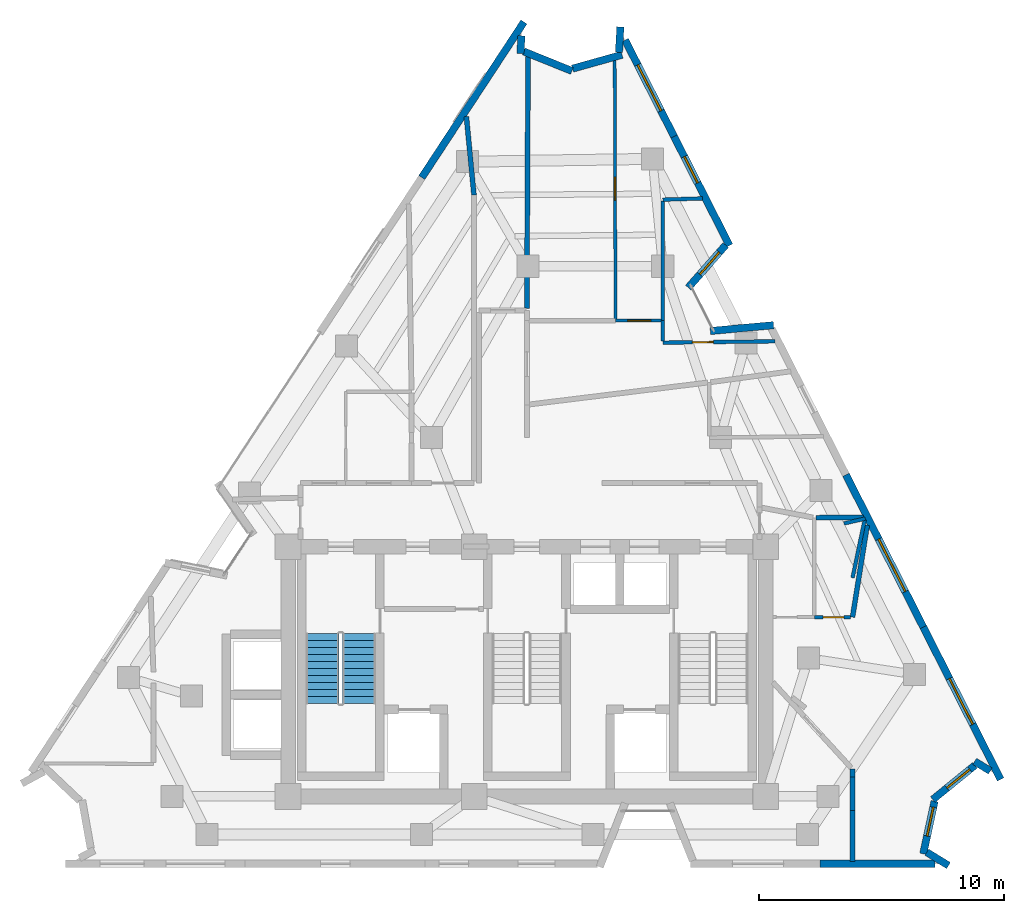
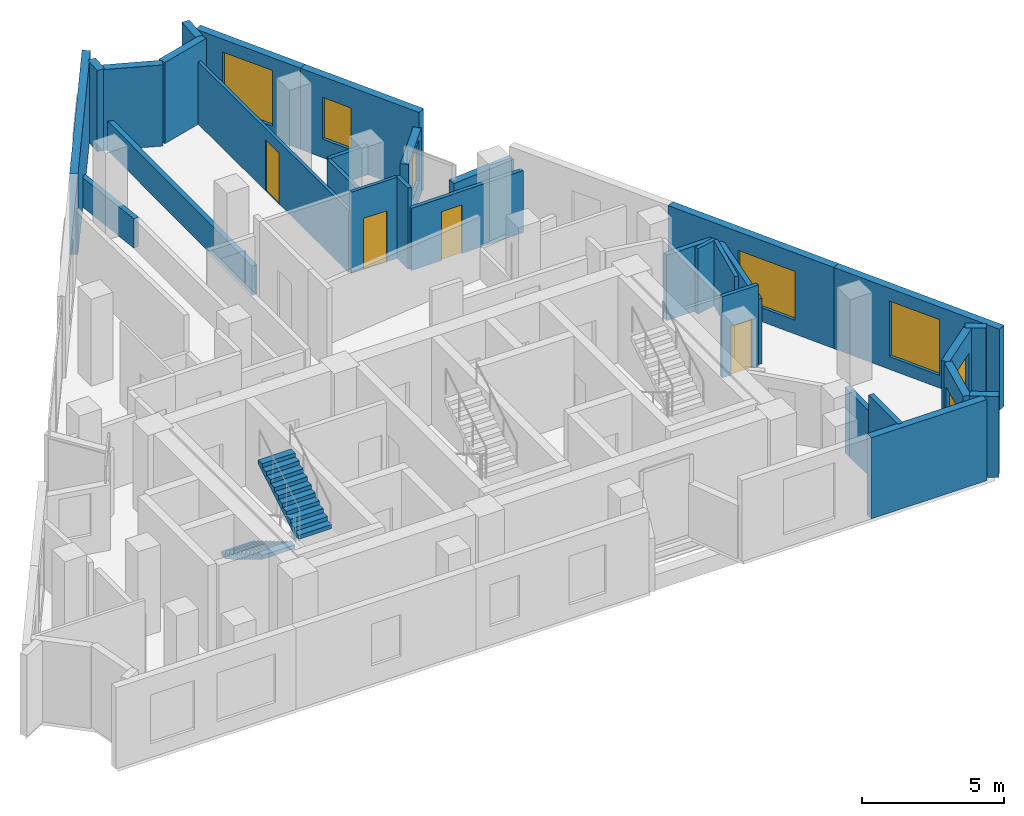
# One storey, part 7 of 9: 32 walls, 7 windows, 4 doors, 2 stair flights, 11 openings, 1 element without a shape of its own.
"""IFC4 building model written with IfcOpenShell, lengths in metres."""

from ifc_helpers import new_model, si_unit, direction, frame, frame_2d, origin, place, context, subcontext, project, spatial, polyline, rectangle, outline, extrude, material, layer, layer_set, type_object, element, fill, aggregate, save


model = new_model("IFC4")

# Units and contexts
model_context = context("Model", 3, precision=1e-05, world=origin(), true_north=direction((0.0, 1.0)))
body_context = subcontext(model_context, "Body", "Model", "MODEL_VIEW")
ifc_project = project(units=[si_unit("LENGTHUNIT", "METRE"), si_unit("AREAUNIT", "SQUARE_METRE"), si_unit("VOLUMEUNIT", "CUBIC_METRE"), si_unit("PLANEANGLEUNIT", "RADIAN"), si_unit("MASSUNIT", "GRAM", prefix="KILO")], contexts=[model_context])

# Site, building, storey
site_placement = place(None, origin())
site = spatial("IfcSite", under=ifc_project, at=site_placement, CompositionType="ELEMENT")
building_placement = place(site_placement, origin())
building = spatial("IfcBuilding", under=site, at=building_placement, Name="Almagre Mirador Tower", CompositionType="ELEMENT")
storey_placement = place(building_placement, frame((0.0, 0.0, 248.25)))
storey = spatial("IfcBuildingStorey", under=building, at=storey_placement, Name="L64", CompositionType="ELEMENT", Elevation=248.25)

# Walls
ifc_material_1 = material(Name="Precast concrete C50/60", Category="concrete")
ifc_layer_1 = layer(ifc_material_1, 0.300048828125)
ifc_layer_set_1 = layer_set([ifc_layer_1], Name="Precast concrete C50/60")
wall_type_1 = type_object("IfcWallType", Name="WAL-EXT-300", PredefinedType="SOLIDWALL", material=ifc_layer_set_1)
wall_1_placement = place(storey_placement, frame((33.009521484375, 29.82421875, 0.0), z_axis=(0.0, 0.0, 1.0), x_axis=(0.549051558848, 0.835788481451, 0.0)))
element("IfcWall", 1, at=wall_1_placement, inside=storey, type_object=wall_type_1, Name="L64 expressed almagre precast frame wall 04", PredefinedType="SOLIDWALL", context=body_context, shape_type="SweptSolid", body=[
    extrude(rectangle(XDim=7.597412109375, YDim=0.300048828125, at=frame_2d((3.798828125, 0.0))), origin(), (0.0, 0.0, 1.0), 3.5),
])
wall_2_placement = place(storey_placement, frame((37.0791015625, 35.61279296875, 0.0), z_axis=(0.0, 0.0, 1.0), x_axis=(-0.056136239568, -0.998423118025, 0.0)))
element("IfcWall", 2, at=wall_2_placement, inside=storey, type_object=wall_type_1, Name="L64 expressed almagre precast frame wall 05", PredefinedType="SOLIDWALL", context=body_context, shape_type="SweptSolid", body=[
    extrude(rectangle(XDim=0.730712890625, YDim=0.300048828125, at=frame_2d((0.365234375, 0.0))), origin(), (0.0, 0.0, 1.0), 3.5),
])
wall_3_placement = place(storey_placement, frame((37.171142578125, 34.972412109375, 0.0), z_axis=(0.0, 0.0, 1.0), x_axis=(0.927076098221, -0.37487318937, 0.0)))
element("IfcWall", 3, at=wall_3_placement, inside=storey, type_object=wall_type_1, Name="L64 expressed almagre precast frame wall 06", PredefinedType="SOLIDWALL", context=body_context, shape_type="SweptSolid", body=[
    extrude(rectangle(XDim=2.125732421875, YDim=0.300048828125, at=frame_2d((1.06298828125, 0.0))), origin(), (0.0, 0.0, 1.0), 3.5),
])
wall_4_placement = place(storey_placement, frame((39.166015625, 34.27099609375, 0.0), z_axis=(0.0, 0.0, 1.0), x_axis=(0.962897602702, 0.269867016714, 0.0)))
element("IfcWall", 4, at=wall_4_placement, inside=storey, type_object=wall_type_1, Name="L64 expressed almagre precast frame wall 07", PredefinedType="SOLIDWALL", context=body_context, shape_type="SweptSolid", body=[
    extrude(rectangle(XDim=2.1005859375, YDim=0.300048828125, at=frame_2d((1.05029296875, 0.0))), origin(), (0.0, 0.0, 1.0), 3.5),
])
wall_5_placement = place(storey_placement, frame((41.0615234375, 34.934814453125, 0.0), z_axis=(0.0, 0.0, 1.0), x_axis=(0.056067679965, 0.998426970421, 0.0)))
element("IfcWall", 5, at=wall_5_placement, inside=storey, type_object=wall_type_1, Name="L64 expressed almagre precast frame wall 08", PredefinedType="SOLIDWALL", context=body_context, shape_type="SweptSolid", body=[
    extrude(rectangle(XDim=1.040771484375, YDim=0.300048828125, at=frame_2d((0.5205078125, 0.0))), origin(), (0.0, 0.0, 1.0), 3.5),
])

# Wall, opening, window
wall_6_placement = place(storey_placement, frame((41.3134765625, 35.437255859375, 0.0), z_axis=(0.0, 0.0, 1.0), x_axis=(0.452845917372, -0.891588792617, 0.0)))
wall_6 = element("IfcWall", 6, at=wall_6_placement, inside=storey, type_object=wall_type_1, Name="L64 expressed almagre precast frame wall 09", PredefinedType="SOLIDWALL", context=body_context, shape_type="SweptSolid", body=[
    extrude(rectangle(XDim=4.414306640625, YDim=0.300048828125, at=frame_2d((2.20703125, 0.0))), origin(), (0.0, 0.0, 1.0), 3.5),
])
opening_1_placement = place(wall_6_placement, frame((1.139892578125, 0.0, 0.550048828125)))
opening_1 = element("IfcOpeningElement", 7, at=opening_1_placement, cuts=wall_6, Name="Opening WN-05", PredefinedType="OPENING", context=body_context, shape_type="SweptSolid", body=[
    extrude(rectangle(XDim=2.10009765625, YDim=2.39990234375, at=frame_2d((1.050048828125, 1.199951171875))), frame((0.0, 0.159902, 0.0), z_axis=(0.0, -1.0, 0.0), x_axis=(1.0, 0.0, 0.0)), (0.0, 0.0, 1.0), 0.320049),
])
ifc_material_2 = material(Name="Dark solar-control laminated hurricane glass", Category="glass")
window_type_1 = type_object("IfcWindowType", Name="WIN-2100X2400", PartitioningType="DOUBLE_PANEL_VERTICAL", PredefinedType="WINDOW", material=ifc_material_2)
window_1_placement = place(opening_1_placement, origin())
window_1 = element("IfcWindow", 8, at=window_1_placement, inside=storey, type_object=window_type_1, Name="L64 recessed hurricane window L64-UK-KT", OverallHeight=2.39990234375, OverallWidth=2.10009765625, PartitioningType="SINGLE_PANEL", PredefinedType="WINDOW", context=body_context, shape_type="SweptSolid", body=[
    extrude(rectangle(XDim=2.10009765625, YDim=2.39990234375, at=frame_2d((1.050048828125, 1.199951171875))), frame((0.0, 0.030029296875, 0.0), z_axis=(0.0, -1.0, 0.0), x_axis=(1.0, 0.0, 0.0)), (0.0, 0.0, 1.0), 0.06005859375),
])
fill(opening_1, window_1)

wall_7_placement = place(storey_placement, frame((43.3125, 31.50146484375, 0.0), z_axis=(0.0, 0.0, 1.0), x_axis=(0.452850052045, -0.891586692567, 0.0)))
wall_7 = element("IfcWall", 9, at=wall_7_placement, inside=storey, type_object=wall_type_1, Name="L64 expressed almagre precast frame wall 10", PredefinedType="SOLIDWALL", context=body_context, shape_type="SweptSolid", body=[
    extrude(rectangle(XDim=4.999267578125, YDim=0.300048828125, at=frame_2d((2.49951171875, 0.0))), origin(), (0.0, 0.0, 1.0), 3.5),
])
opening_2_placement = place(wall_7_placement, frame((0.925048828125, 0.0, 0.800048828125)))
opening_2 = element("IfcOpeningElement", 10, at=opening_2_placement, cuts=wall_7, Name="Opening WN-04", PredefinedType="OPENING", context=body_context, shape_type="SweptSolid", body=[
    extrude(rectangle(XDim=1.199951171875, YDim=1.800048828125, at=frame_2d((0.60009765625, 0.89990234375))), frame((0.0, 0.159902, 0.0), z_axis=(0.0, -1.0, 0.0), x_axis=(1.0, 0.0, 0.0)), (0.0, 0.0, 1.0), 0.320049),
])
ifc_material_3 = material(Name="Dark solar-control laminated hurricane glass", Category="glass")
window_type_2 = type_object("IfcWindowType", Name="WIN-1200X1800", PartitioningType="SINGLE_PANEL", PredefinedType="WINDOW", material=ifc_material_3)
window_2_placement = place(opening_2_placement, origin())
window_2 = element("IfcWindow", 11, at=window_2_placement, inside=storey, type_object=window_type_2, Name="L64 recessed hurricane window L64-UK-KT", OverallHeight=1.800048828125, OverallWidth=1.199951171875, PartitioningType="SINGLE_PANEL", PredefinedType="WINDOW", context=body_context, shape_type="SweptSolid", body=[
    extrude(rectangle(XDim=1.199951171875, YDim=1.800048828125, at=frame_2d((0.60009765625, 0.89990234375))), frame((0.0, 0.030029296875, 0.0), z_axis=(0.0, -1.0, 0.0), x_axis=(1.0, 0.0, 0.0)), (0.0, 0.0, 1.0), 0.06005859375),
])
fill(opening_2, window_2)

wall_8_placement = place(storey_placement, frame((45.42041015625, 27.06396484375, 0.0), z_axis=(0.0, 0.0, 1.0), x_axis=(-0.660884804006, -0.750487358877, 0.0)))
wall_8 = element("IfcWall", 12, at=wall_8_placement, inside=storey, type_object=wall_type_1, Name="L64 expressed almagre precast frame wall 11", PredefinedType="SOLIDWALL", context=body_context, shape_type="SweptSolid", body=[
    extrude(rectangle(XDim=2.313232421875, YDim=0.300048828125, at=frame_2d((1.15673828125, 0.0))), origin(), (0.0, 0.0, 1.0), 2.824951171875),
])
opening_3_placement = place(wall_8_placement, frame((0.39501953125, 0.0, 0.800048828125)))
opening_3 = element("IfcOpeningElement", 13, at=opening_3_placement, cuts=wall_8, Name="Opening WN-04", PredefinedType="OPENING", context=body_context, shape_type="SweptSolid", body=[
    extrude(rectangle(XDim=1.199951171875, YDim=1.800048828125, at=frame_2d((0.60009765625, 0.89990234375))), frame((0.0, 0.159902, 0.0), z_axis=(0.0, -1.0, 0.0), x_axis=(1.0, 0.0, 0.0)), (0.0, 0.0, 1.0), 0.320049),
])
window_3_placement = place(opening_3_placement, origin())
window_3 = element("IfcWindow", 14, at=window_3_placement, inside=storey, type_object=window_type_2, Name="L64 recessed hurricane window L64-UK-HB", OverallHeight=1.800048828125, OverallWidth=1.199951171875, PartitioningType="SINGLE_PANEL", PredefinedType="WINDOW", context=body_context, shape_type="SweptSolid", body=[
    extrude(rectangle(XDim=1.199951171875, YDim=1.800048828125, at=frame_2d((0.60009765625, 0.89990234375))), frame((0.0, 0.030029296875, 0.0), z_axis=(0.0, -1.0, 0.0), x_axis=(1.0, 0.0, 0.0)), (0.0, 0.0, 1.0), 0.06005859375),
])
fill(opening_3, window_3)

# Wall
wall_9_placement = place(storey_placement, frame((44.79052734375, 23.55615234375, 0.0), z_axis=(0.0, 0.0, 1.0), x_axis=(0.995796977709, 0.091588095218, 0.0)))
element("IfcWall", 15, at=wall_9_placement, inside=storey, type_object=wall_type_1, Name="L64 expressed almagre precast frame wall 12", PredefinedType="SOLIDWALL", context=body_context, shape_type="SweptSolid", body=[
    extrude(rectangle(XDim=2.59375, YDim=0.300048828125, at=frame_2d((1.296875, 0.0))), origin(), (0.0, 0.0, 1.0), 2.824951171875),
])

# Wall, opening, window
wall_10_placement = place(storey_placement, frame((50.330810546875, 17.684326171875, 0.0), z_axis=(0.0, 0.0, 1.0), x_axis=(0.452886204096, -0.891568329484, 0.0)))
wall_10 = element("IfcWall", 16, at=wall_10_placement, inside=storey, type_object=wall_type_1, Name="L64 expressed almagre precast frame wall 14", PredefinedType="SOLIDWALL", context=body_context, shape_type="SweptSolid", body=[
    extrude(rectangle(XDim=6.978271484375, YDim=0.300048828125, at=frame_2d((3.4892578125, 0.0))), origin(), (0.0, 0.0, 1.0), 3.5),
])
opening_4_placement = place(wall_10_placement, frame((2.949951171875, 0.0, 0.60009765625)))
opening_4 = element("IfcOpeningElement", 17, at=opening_4_placement, cuts=wall_10, Name="Opening WN-02", PredefinedType="OPENING", context=body_context, shape_type="SweptSolid", body=[
    extrude(rectangle(XDim=2.39990234375, YDim=2.10009765625, at=frame_2d((1.199951171875, 1.050048828125))), frame((0.0, 0.159902, 0.0), z_axis=(0.0, -1.0, 0.0), x_axis=(1.0, 0.0, 0.0)), (0.0, 0.0, 1.0), 0.320049),
])
ifc_material_4 = material(Name="Dark solar-control laminated hurricane glass", Category="glass")
window_type_3 = type_object("IfcWindowType", Name="WIN-2400X2100", PartitioningType="TRIPLE_PANEL_VERTICAL", PredefinedType="WINDOW", material=ifc_material_4)
window_4_placement = place(opening_4_placement, origin())
window_4 = element("IfcWindow", 18, at=window_4_placement, inside=storey, type_object=window_type_3, Name="L64 recessed hurricane window L64-UD-ST", OverallHeight=2.10009765625, OverallWidth=2.39990234375, PartitioningType="SINGLE_PANEL", PredefinedType="WINDOW", context=body_context, shape_type="SweptSolid", body=[
    extrude(rectangle(XDim=2.39990234375, YDim=2.10009765625, at=frame_2d((1.199951171875, 1.050048828125))), frame((0.0, 0.030029296875, 0.0), z_axis=(0.0, -1.0, 0.0), x_axis=(1.0, 0.0, 0.0)), (0.0, 0.0, 1.0), 0.06005859375),
])
fill(opening_4, window_4)

wall_11_placement = place(storey_placement, frame((53.4912109375, 11.462646484375, 0.0), z_axis=(0.0, 0.0, 1.0), x_axis=(0.452872520075, -0.891575280367, 0.0)))
wall_11 = element("IfcWall", 19, at=wall_11_placement, inside=storey, type_object=wall_type_1, Name="L64 expressed almagre precast frame wall 15", PredefinedType="SOLIDWALL", context=body_context, shape_type="SweptSolid", body=[
    extrude(rectangle(XDim=6.97802734375, YDim=0.300048828125, at=frame_2d((3.489013671875, 0.0))), origin(), (0.0, 0.0, 1.0), 3.5),
])
opening_5_placement = place(wall_11_placement, frame((2.35009765625, 0.0, 0.550048828125)))
opening_5 = element("IfcOpeningElement", 20, at=opening_5_placement, cuts=wall_11, Name="Opening WN-05", PredefinedType="OPENING", context=body_context, shape_type="SweptSolid", body=[
    extrude(rectangle(XDim=2.10009765625, YDim=2.39990234375, at=frame_2d((1.050048828125, 1.199951171875))), frame((0.0, 0.159902, 0.0), z_axis=(0.0, -1.0, 0.0), x_axis=(1.0, 0.0, 0.0)), (0.0, 0.0, 1.0), 0.320049),
])
window_5_placement = place(opening_5_placement, origin())
window_5 = element("IfcWindow", 21, at=window_5_placement, inside=storey, type_object=window_type_1, Name="L64 recessed hurricane window L64-UD-KT", OverallHeight=2.39990234375, OverallWidth=2.10009765625, PartitioningType="SINGLE_PANEL", PredefinedType="WINDOW", context=body_context, shape_type="SweptSolid", body=[
    extrude(rectangle(XDim=2.10009765625, YDim=2.39990234375, at=frame_2d((1.050048828125, 1.199951171875))), frame((0.0, 0.030029296875, 0.0), z_axis=(0.0, -1.0, 0.0), x_axis=(1.0, 0.0, 0.0)), (0.0, 0.0, 1.0), 0.06005859375),
])
fill(opening_5, window_5)

# Wall
wall_12_placement = place(storey_placement, frame((56.225830078125, 5.58837890625, 0.0), z_axis=(0.0, 0.0, 1.0), x_axis=(-0.851959856167, 0.523607107935, 0.0)))
element("IfcWall", 22, at=wall_12_placement, inside=storey, type_object=wall_type_1, Name="L64 expressed almagre precast frame wall 16", PredefinedType="SOLIDWALL", context=body_context, shape_type="SweptSolid", body=[
    extrude(rectangle(XDim=0.750244140625, YDim=0.300048828125, at=frame_2d((0.375, 0.0))), origin(), (0.0, 0.0, 1.0), 3.5),
])

# Wall, opening, window
wall_13_placement = place(storey_placement, frame((55.601318359375, 5.82275390625, 0.0), z_axis=(0.0, 0.0, 1.0), x_axis=(-0.775969517168, -0.630770408648, 0.0)))
wall_13 = element("IfcWall", 23, at=wall_13_placement, inside=storey, type_object=wall_type_1, Name="L64 expressed almagre precast frame wall 17", PredefinedType="SOLIDWALL", context=body_context, shape_type="SweptSolid", body=[
    extrude(rectangle(XDim=2.222900390625, YDim=0.300048828125, at=frame_2d((1.111328125, 0.0))), origin(), (0.0, 0.0, 1.0), 3.5),
])
opening_6_placement = place(wall_13_placement, frame((0.27490234375, 0.0, 0.800048828125)))
opening_6 = element("IfcOpeningElement", 24, at=opening_6_placement, cuts=wall_13, Name="Opening WN-04", PredefinedType="OPENING", context=body_context, shape_type="SweptSolid", body=[
    extrude(rectangle(XDim=1.199951171875, YDim=1.800048828125, at=frame_2d((0.60009765625, 0.89990234375))), frame((0.0, 0.159902, 0.0), z_axis=(0.0, -1.0, 0.0), x_axis=(1.0, 0.0, 0.0)), (0.0, 0.0, 1.0), 0.320049),
])
window_6_placement = place(opening_6_placement, origin())
window_6 = element("IfcWindow", 25, at=window_6_placement, inside=storey, type_object=window_type_2, Name="L64 recessed hurricane window L64-UD-KT", OverallHeight=1.800048828125, OverallWidth=1.199951171875, PartitioningType="SINGLE_PANEL", PredefinedType="WINDOW", context=body_context, shape_type="SweptSolid", body=[
    extrude(rectangle(XDim=1.199951171875, YDim=1.800048828125, at=frame_2d((0.60009765625, 0.89990234375))), frame((0.0, 0.030029296875, 0.0), z_axis=(0.0, -1.0, 0.0), x_axis=(1.0, 0.0, 0.0)), (0.0, 0.0, 1.0), 0.06005859375),
])
fill(opening_6, window_6)

wall_14_placement = place(storey_placement, frame((53.951416015625, 4.3525390625, 0.0), z_axis=(0.0, 0.0, 1.0), x_axis=(-0.210621406129, -0.977567707773, 0.0)))
wall_14 = element("IfcWall", 26, at=wall_14_placement, inside=storey, type_object=wall_type_1, Name="L64 expressed almagre precast frame wall 18", PredefinedType="SOLIDWALL", context=body_context, shape_type="SweptSolid", body=[
    extrude(rectangle(XDim=2.19775390625, YDim=0.300048828125, at=frame_2d((1.098876953125, 0.0))), origin(), (0.0, 0.0, 1.0), 3.5),
])
opening_7_placement = place(wall_14_placement, frame((0.25, 0.0, 0.800048828125)))
opening_7 = element("IfcOpeningElement", 27, at=opening_7_placement, cuts=wall_14, Name="Opening WN-04", PredefinedType="OPENING", context=body_context, shape_type="SweptSolid", body=[
    extrude(rectangle(XDim=1.199951171875, YDim=1.800048828125, at=frame_2d((0.60009765625, 0.89990234375))), frame((0.0, 0.159902, 0.0), z_axis=(0.0, -1.0, 0.0), x_axis=(1.0, 0.0, 0.0)), (0.0, 0.0, 1.0), 0.320049),
])
window_7_placement = place(opening_7_placement, origin())
window_7 = element("IfcWindow", 28, at=window_7_placement, inside=storey, type_object=window_type_2, Name="L64 recessed hurricane window L64-UD-BT", OverallHeight=1.800048828125, OverallWidth=1.199951171875, PartitioningType="SINGLE_PANEL", PredefinedType="WINDOW", context=body_context, shape_type="SweptSolid", body=[
    extrude(rectangle(XDim=1.199951171875, YDim=1.800048828125, at=frame_2d((0.60009765625, 0.89990234375))), frame((0.0, 0.030029296875, 0.0), z_axis=(0.0, -1.0, 0.0), x_axis=(1.0, 0.0, 0.0)), (0.0, 0.0, 1.0), 0.06005859375),
])
fill(opening_7, window_7)

# Walls
wall_15_placement = place(storey_placement, frame((53.633056640625, 2.2705078125, 0.0), z_axis=(0.0, 0.0, 1.0), x_axis=(0.852375061926, -0.522930926421, 0.0)))
element("IfcWall", 29, at=wall_15_placement, inside=storey, type_object=wall_type_1, Name="L64 expressed almagre precast frame wall 19", PredefinedType="SOLIDWALL", context=body_context, shape_type="SweptSolid", body=[
    extrude(rectangle(XDim=1.039794921875, YDim=0.300048828125, at=frame_2d((0.52001953125, 0.0))), origin(), (0.0, 0.0, 1.0), 3.5),
])
wall_16_placement = place(storey_placement, frame((53.97509765625, 1.800048828125, 0.0), z_axis=(0.0, 0.0, 1.0), x_axis=(-1.0, 0.0, 0.0)))
element("IfcWall", 30, at=wall_16_placement, inside=storey, type_object=wall_type_1, Name="L64 expressed almagre precast frame wall 20", PredefinedType="SOLIDWALL", context=body_context, shape_type="SweptSolid", body=[
    extrude(rectangle(XDim=4.711181640625, YDim=0.300048828125, at=frame_2d((2.35546875, 0.0))), origin(), (0.0, 0.0, 1.0), 3.5),
])

# Wall, opening, door
ifc_material_5 = material(Name="Gypsum acoustic stud partition", Category="other")
ifc_layer_2 = layer(ifc_material_5, 0.125)
ifc_layer_set_2 = layer_set([ifc_layer_2], Name="Gypsum acoustic stud partition")
wall_type_2 = type_object("IfcWallType", Name="WAL-PRT-125-UTL", PredefinedType="PARTITIONING", material=ifc_layer_set_2)
wall_17_placement = place(storey_placement, frame((42.7900390625, 23.97998046875, 0.0), z_axis=(0.0, 0.0, 1.0), x_axis=(-1.0, 0.0, 0.0)))
wall_17 = element("IfcWall", 31, at=wall_17_placement, inside=storey, type_object=wall_type_2, Name="L64 interior partition 059", PredefinedType="PARTITIONING", context=body_context, shape_type="SweptSolid", body=[
    extrude(rectangle(XDim=1.8701171875, YDim=0.125, at=frame_2d((0.93505859375, 0.0))), origin(), (0.0, 0.0, 1.0), 3.5),
])
opening_8_placement = place(wall_17_placement, frame((0.429931640625, 0.0, 0.0)))
opening_8 = element("IfcOpeningElement", 32, at=opening_8_placement, cuts=wall_17, Name="Opening UD-01", PredefinedType="OPENING", context=body_context, shape_type="SweptSolid", body=[
    extrude(rectangle(XDim=0.949951171875, YDim=2.199951171875, at=frame_2d((0.47509765625, 1.10009765625))), frame((0.0, 0.0725, 0.0), z_axis=(0.0, -1.0, 0.0), x_axis=(1.0, 0.0, 0.0)), (0.0, 0.0, 1.0), 0.145),
])
ifc_material_6 = material(Name="Solid American walnut timber", Category="wood")
door_type_1 = type_object("IfcDoorType", Name="DOR-UNR-950X2200", OperationType="NOTDEFINED", PredefinedType="DOOR", material=ifc_material_6)
door_1_placement = place(opening_8_placement, origin())
door_1 = element("IfcDoor", 33, at=door_1_placement, inside=storey, type_object=door_type_1, Name="DR-1977 L64 interior door L64-UK-ST to L64-UK-KT", OperationType="SINGLE_SWING_LEFT", OverallHeight=2.199951171875, OverallWidth=0.949951171875, PredefinedType="DOOR", context=body_context, shape_type="SweptSolid", body=[
    extrude(rectangle(XDim=0.949951171875, YDim=2.199951171875, at=frame_2d((0.47509765625, 1.10009765625))), frame((0.0, 0.02490234375, 0.0), z_axis=(0.0, -1.0, 0.0), x_axis=(1.0, 0.0, 0.0)), (0.0, 0.0, 1.0), 0.050048828125),
])
fill(opening_8, door_1)

wall_18_placement = place(storey_placement, frame((40.886962890625, 34.654052734375, 0.0), z_axis=(0.0, 0.0, 1.0), x_axis=(0.003101579531, -0.999995190091, 0.0)))
wall_18 = element("IfcWall", 34, at=wall_18_placement, inside=storey, type_object=wall_type_2, Name="L64 interior partition 063", PredefinedType="PARTITIONING", context=body_context, shape_type="SweptSolid", body=[
    extrude(rectangle(XDim=10.62646484375, YDim=0.125, at=frame_2d((5.313232421875, 0.0))), origin(), (0.0, 0.0, 1.0), 2.68505859375),
])
opening_9_placement = place(wall_18_placement, frame((4.812255859375, 0.0, 0.0)))
opening_9 = element("IfcOpeningElement", 35, at=opening_9_placement, cuts=wall_18, Name="Opening UD-01", PredefinedType="OPENING", context=body_context, shape_type="SweptSolid", body=[
    extrude(rectangle(XDim=0.949951171875, YDim=2.199951171875, at=frame_2d((0.47509765625, 1.10009765625))), frame((0.0, 0.0725, 0.0), z_axis=(0.0, -1.0, 0.0), x_axis=(1.0, 0.0, 0.0)), (0.0, 0.0, 1.0), 0.145),
])
door_2_placement = place(opening_9_placement, origin())
door_2 = element("IfcDoor", 36, at=door_2_placement, inside=storey, type_object=door_type_1, Name="DR-1979 L64 interior door L64-UK-KT to L64-UK-SL1", OperationType="SINGLE_SWING_LEFT", OverallHeight=2.199951171875, OverallWidth=0.949951171875, PredefinedType="DOOR", context=body_context, shape_type="SweptSolid", body=[
    extrude(rectangle(XDim=0.949951171875, YDim=2.199951171875, at=frame_2d((0.47509765625, 1.10009765625))), frame((0.0, 0.02490234375, 0.0), z_axis=(0.0, -1.0, 0.0), x_axis=(1.0, 0.0, 0.0)), (0.0, 0.0, 1.0), 0.050048828125),
])
fill(opening_9, door_2)

ifc_material_7 = material(Name="Gypsum acoustic stud partition", Category="other")
ifc_layer_3 = layer(ifc_material_7, 0.14990234375)
ifc_layer_set_3 = layer_set([ifc_layer_3], Name="Gypsum acoustic stud partition")
wall_type_3 = type_object("IfcWallType", Name="WAL-PRT-150-STD", PredefinedType="PARTITIONING", material=ifc_layer_set_3)
wall_19_placement = place(storey_placement, frame((50.514892578125, 11.8701171875, 0.0), z_axis=(0.0, 0.0, 1.0), x_axis=(-1.0, 0.0, 0.0)))
wall_19 = element("IfcWall", 37, at=wall_19_placement, inside=storey, type_object=wall_type_3, Name="L64 interior partition 033", PredefinedType="PARTITIONING", context=body_context, shape_type="SweptSolid", body=[
    extrude(rectangle(XDim=1.474853515625, YDim=0.14990234375, at=frame_2d((0.7373046875, 0.0))), origin(), (0.0, 0.0, 1.0), 3.5),
])
opening_10_placement = place(wall_19_placement, frame((0.27001953125, 0.0, 0.0)))
opening_10 = element("IfcOpeningElement", 38, at=opening_10_placement, cuts=wall_19, Name="Opening UD-04", PredefinedType="OPENING", context=body_context, shape_type="SweptSolid", body=[
    extrude(rectangle(XDim=0.85009765625, YDim=2.10009765625, at=frame_2d((0.425048828125, 1.050048828125))), frame((0.0, 0.084951, 0.0), z_axis=(0.0, -1.0, 0.0), x_axis=(1.0, 0.0, 0.0)), (0.0, 0.0, 1.0), 0.169902),
])
ifc_material_8 = material(Name="Moisture-resistant oak timber", Category="wood")
door_type_2 = type_object("IfcDoorType", Name="DOR-UNR-850X2100", OperationType="NOTDEFINED", PredefinedType="DOOR", material=ifc_material_8)
door_3_placement = place(opening_10_placement, origin())
door_3 = element("IfcDoor", 39, at=door_3_placement, inside=storey, type_object=door_type_2, Name="DR-1971 L64 interior door L64-UE-ST to L64-UE-BT", OperationType="SINGLE_SWING_RIGHT", OverallHeight=2.10009765625, OverallWidth=0.85009765625, PredefinedType="DOOR", context=body_context, shape_type="SweptSolid", body=[
    extrude(rectangle(XDim=0.85009765625, YDim=2.10009765625, at=frame_2d((0.425048828125, 1.050048828125))), frame((0.0, 0.02490234375, 0.0), z_axis=(0.0, -1.0, 0.0), x_axis=(1.0, 0.0, 0.0)), (0.0, 0.0, 1.0), 0.050048828125),
])
fill(opening_10, door_3)

wall_20_placement = place(storey_placement, frame((47.430908203125, 23.134033203125, 0.0), z_axis=(0.0, 0.0, 1.0), x_axis=(-0.999930640683, -0.011777683291, 0.0)))
wall_20 = element("IfcWall", 40, at=wall_20_placement, inside=storey, type_object=wall_type_3, Name="L64 interior partition 057", PredefinedType="PARTITIONING", context=body_context, shape_type="SweptSolid", body=[
    extrude(rectangle(XDim=4.5810546875, YDim=0.14990234375, at=frame_2d((2.29052734375, 0.0))), origin(), (0.0, 0.0, 1.0), 2.68505859375),
])
opening_11_placement = place(wall_20_placement, frame((2.517822265625, 0.0, 0.0)))
opening_11 = element("IfcOpeningElement", 41, at=opening_11_placement, cuts=wall_20, Name="Opening UD-04", PredefinedType="OPENING", context=body_context, shape_type="SweptSolid", body=[
    extrude(rectangle(XDim=0.85009765625, YDim=2.10009765625, at=frame_2d((0.425048828125, 1.050048828125))), frame((0.0, 0.084951, 0.0), z_axis=(0.0, -1.0, 0.0), x_axis=(1.0, 0.0, 0.0)), (0.0, 0.0, 1.0), 0.169902),
])
door_4_placement = place(opening_11_placement, origin())
door_4 = element("IfcDoor", 42, at=door_4_placement, inside=storey, type_object=door_type_2, Name="DR-1978 L64 interior door L64-UK-ST to L64-UK-HB", OperationType="SINGLE_SWING_RIGHT", OverallHeight=2.10009765625, OverallWidth=0.85009765625, PredefinedType="DOOR", context=body_context, shape_type="SweptSolid", body=[
    extrude(rectangle(XDim=0.85009765625, YDim=2.10009765625, at=frame_2d((0.425048828125, 1.050048828125))), frame((0.0, 0.02490234375, 0.0), z_axis=(0.0, -1.0, 0.0), x_axis=(1.0, 0.0, 0.0)), (0.0, 0.0, 1.0), 0.050048828125),
])
fill(opening_11, door_4)

# Walls
wall_21_placement = place(storey_placement, frame((42.85009765625, 23.139892578125, 0.0), z_axis=(0.0, 0.0, 1.0), x_axis=(0.0, 1.0, 0.0)))
element("IfcWall", 43, at=wall_21_placement, inside=storey, type_object=wall_type_3, Name="L64 interior partition 058", PredefinedType="PARTITIONING", context=body_context, shape_type="SweptSolid", body=[
    extrude(rectangle(XDim=0.840087890625, YDim=0.14990234375, at=frame_2d((0.419921875, 0.0))), origin(), (0.0, 0.0, 1.0), 3.5),
])
wall_22_placement = place(storey_placement, frame((44.469970703125, 28.969970703125, 0.0), z_axis=(0.0, 0.0, 1.0), x_axis=(-0.999523036581, -0.030882022984, 0.0)))
element("IfcWall", 44, at=wall_22_placement, inside=storey, type_object=wall_type_3, Name="L64 interior partition 061", PredefinedType="PARTITIONING", context=body_context, shape_type="SweptSolid", body=[
    extrude(rectangle(XDim=1.62060546875, YDim=0.14990234375, at=frame_2d((0.810302734375, 0.0))), origin(), (0.0, 0.0, 1.0), 1.27001953125),
])
wall_23_placement = place(storey_placement, frame((42.85009765625, 28.860107421875, 0.0), z_axis=(0.0, 0.0, 1.0), x_axis=(0.0, -1.0, 0.0)))
element("IfcWall", 45, at=wall_23_placement, inside=storey, type_object=wall_type_3, Name="L64 interior partition 062", PredefinedType="PARTITIONING", context=body_context, shape_type="SweptSolid", body=[
    extrude(rectangle(XDim=4.880126953125, YDim=0.14990234375, at=frame_2d((2.43994140625, 0.0))), origin(), (0.0, 0.0, 1.0), 1.27001953125),
])
wall_24_placement = place(storey_placement, frame((50.60009765625, 13.47509765625, 0.0), z_axis=(0.0, 0.0, 1.0), x_axis=(0.204860905719, 0.978791095846, 0.0)))
element("IfcWall", 46, at=wall_24_placement, inside=storey, type_object=wall_type_3, Name="L64 interior partition 069", PredefinedType="PARTITIONING", context=body_context, shape_type="SweptSolid", body=[
    extrude(rectangle(XDim=2.419189453125, YDim=0.14990234375, at=frame_2d((1.20947265625, 0.0))), origin(), (0.0, 0.0, 1.0), 2.820068359375),
])
wall_25_placement = place(storey_placement, frame((51.117919921875, 15.89404296875, 0.0), z_axis=(0.0, 0.0, 1.0), x_axis=(-0.975189411554, -0.221372111146, 0.0)))
element("IfcWall", 47, at=wall_25_placement, inside=storey, type_object=wall_type_3, Name="L64 interior partition 070", PredefinedType="PARTITIONING", context=body_context, shape_type="SweptSolid", body=[
    extrude(rectangle(XDim=0.889892578125, YDim=0.14990234375, at=frame_2d((0.44482421875, 0.0))), origin(), (0.0, 0.0, 1.0), 2.820068359375),
])
ifc_material_9 = material(Name="Gypsum acoustic stud partition", Category="other")
ifc_layer_4 = layer(ifc_material_9, 0.199951171875)
ifc_layer_set_4 = layer_set([ifc_layer_4], Name="Gypsum acoustic stud partition")
wall_type_4 = type_object("IfcWallType", Name="WAL-PRT-200-EI60", PredefinedType="PARTITIONING", material=ifc_layer_set_4)
wall_26_placement = place(storey_placement, frame((50.60009765625, 1.89990234375, 0.0), z_axis=(0.0, 0.0, 1.0), x_axis=(0.0, 1.0, 0.0)))
element("IfcWall", 48, at=wall_26_placement, inside=storey, type_object=wall_type_4, Name="L64 interior partition 024", PredefinedType="PARTITIONING", context=body_context, shape_type="SweptSolid", body=[
    extrude(rectangle(XDim=2.080078125, YDim=0.199951171875, at=frame_2d((1.0400390625, 0.0))), origin(), (0.0, 0.0, 1.0), 3.5),
])
wall_27_placement = place(storey_placement, frame((50.60009765625, 5.35009765625, 0.0), z_axis=(0.0, 0.0, 1.0), x_axis=(0.0, 1.0, 0.0)))
element("IfcWall", 49, at=wall_27_placement, inside=storey, type_object=wall_type_4, Name="L64 interior partition 025", PredefinedType="PARTITIONING", context=body_context, shape_type="SweptSolid", body=[
    extrude(rectangle(XDim=0.309814453125, YDim=0.199951171875, at=frame_2d((0.15478515625, 0.0))), origin(), (0.0, 0.0, 1.0), 2.820068359375),
])
wall_28_placement = place(storey_placement, frame((50.60009765625, 3.97998046875, 0.0), z_axis=(0.0, 0.0, 1.0), x_axis=(0.0, 1.0, 0.0)))
element("IfcWall", 50, at=wall_28_placement, inside=storey, type_object=wall_type_4, Name="L64 interior partition 026", PredefinedType="PARTITIONING", context=body_context, shape_type="SweptSolid", body=[
    extrude(rectangle(XDim=1.3701171875, YDim=0.199951171875, at=frame_2d((0.68505859375, 0.0))), origin(), (0.0, 0.0, 1.0), 2.820068359375),
])
wall_29_placement = place(storey_placement, frame((51.199951171875, 15.6298828125, 0.0), z_axis=(0.0, 0.0, 1.0), x_axis=(-0.157552821355, -0.987510561201, 0.0)))
element("IfcWall", 51, at=wall_29_placement, inside=storey, type_object=wall_type_4, Name="L64 interior partition 031", PredefinedType="PARTITIONING", context=body_context, shape_type="SweptSolid", body=[
    extrude(rectangle(XDim=3.807373046875, YDim=0.199951171875, at=frame_2d((1.90380859375, 0.0))), origin(), (0.0, 0.0, 1.0), 2.820068359375),
])
wall_30_placement = place(storey_placement, frame((51.053955078125, 15.950439453125, 0.0), z_axis=(0.0, 0.0, 1.0), x_axis=(-0.999947512259, -0.010245619893, 0.0)))
element("IfcWall", 52, at=wall_30_placement, inside=storey, type_object=wall_type_4, Name="L64 interior partition 036", PredefinedType="PARTITIONING", context=body_context, shape_type="SweptSolid", body=[
    extrude(rectangle(XDim=1.953857421875, YDim=0.199951171875, at=frame_2d((0.97705078125, 0.0))), origin(), (0.0, 0.0, 1.0), 2.820068359375),
])
wall_31_placement = place(storey_placement, frame((35.139892578125, 29.110107421875, 0.0), z_axis=(0.0, 0.0, 1.0), x_axis=(-0.095979864608, 0.995383275723, 0.0)))
element("IfcWall", 53, at=wall_31_placement, inside=storey, type_object=wall_type_4, Name="L64 interior partition 051", PredefinedType="PARTITIONING", context=body_context, shape_type="SweptSolid", body=[
    extrude(rectangle(XDim=3.2177734375, YDim=0.199951171875, at=frame_2d((1.60888671875, 0.0))), origin(), (0.0, 0.0, 1.0), 1.27001953125),
])
wall_32_placement = place(storey_placement, frame((37.30029296875, 24.485107421875, 0.0), z_axis=(0.0, 0.0, 1.0), x_axis=(0.004746143653, 0.999988736997, 0.0)))
element("IfcWall", 54, at=wall_32_placement, inside=storey, type_object=wall_type_4, Name="L64 interior partition 068", PredefinedType="PARTITIONING", context=body_context, shape_type="SweptSolid", body=[
    extrude(rectangle(XDim=10.287841796875, YDim=0.199951171875, at=frame_2d((5.14404296875, 0.0))), origin(), (0.0, 0.0, 1.0), 1.27001953125),
])

# Stair, stair flights
ifc_material_10 = material(Name="Concrete C45/55", Category="concrete")
stair_type = type_object("IfcStairType", Name="STR-DL-3750", PredefinedType="HALF_TURN_STAIR", material=ifc_material_10)
stair_placement = place(storey_placement, origin())
stair = element("IfcStair", 55, at=stair_placement, inside=storey, type_object=stair_type, Name="L64 Protected exit stair ST-1", PredefinedType="HALF_TURN_STAIR")
ifc_material_11 = material(Name="Concrete C45/55", Category="concrete")
stair_flight_type = type_object("IfcStairFlightType", Name="FLT-DL-3750", PredefinedType="STRAIGHT", material=ifc_material_11)
stair_flight_1_placement = place(storey_placement, frame((28.949951171875, 11.199951171875, 0.0), z_axis=(0.0, 0.0, 1.0), x_axis=(0.0, -1.0, 0.0)))
stair_flight_1 = element("IfcStairFlight", 56, at=stair_flight_1_placement, type_object=stair_flight_type, Name="ST-1 flight 1", NumberOfRisers=11, NumberOfTreads=10, PredefinedType="STRAIGHT", RiserHeight=0.170454545, TreadLength=0.285, context=body_context, shape_type="SweptSolid", body=[
    extrude(outline(polyline([(0.0, 0.0), (0.0, 0.17041015625), (0.284912109375, 0.17041015625), (0.284912109375, 0.3408203125), (0.570068359375, 0.3408203125), (0.570068359375, 0.511474609375), (0.85498046875, 0.511474609375), (0.85498046875, 0.681884765625), (1.139892578125, 0.681884765625), (1.139892578125, 0.852294921875), (1.425048828125, 0.852294921875), (1.425048828125, 1.022705078125), (1.7099609375, 1.022705078125), (1.7099609375, 1.193115234375), (1.9951171875, 1.193115234375), (1.9951171875, 1.363525390625), (2.280029296875, 1.363525390625), (2.280029296875, 1.5341796875), (2.56494140625, 1.5341796875), (2.56494140625, 1.70458984375), (2.85009765625, 1.70458984375), (2.85009765625, 1.875), (2.85009765625, 1.52978515625), (0.2919921875, 0.0), (0.0, 0.0)])), frame((0.0, 0.675048828125, 0.0), z_axis=(0.0, -1.0, 0.0), x_axis=(1.0, 0.0, 0.0)), (0.0, 0.0, 1.0), 1.35009765625),
])
stair_flight_2_placement = place(storey_placement, frame((30.449951171875, 8.35009765625, 1.875), z_axis=(0.0, 0.0, 1.0), x_axis=(0.0, 1.0, 0.0)))
stair_flight_2 = element("IfcStairFlight", 57, at=stair_flight_2_placement, type_object=stair_flight_type, Name="ST-1 flight 2", NumberOfRisers=11, NumberOfTreads=10, PredefinedType="STRAIGHT", RiserHeight=0.170454545, TreadLength=0.285, context=body_context, shape_type="SweptSolid", body=[
    extrude(outline(polyline([(0.0, 0.0), (0.0, 0.17041015625), (0.284912109375, 0.17041015625), (0.284912109375, 0.3408203125), (0.570068359375, 0.3408203125), (0.570068359375, 0.511474609375), (0.85498046875, 0.511474609375), (0.85498046875, 0.681884765625), (1.139892578125, 0.681884765625), (1.139892578125, 0.852294921875), (1.425048828125, 0.852294921875), (1.425048828125, 1.022705078125), (1.7099609375, 1.022705078125), (1.7099609375, 1.193115234375), (1.9951171875, 1.193115234375), (1.9951171875, 1.363525390625), (2.280029296875, 1.363525390625), (2.280029296875, 1.5341796875), (2.56494140625, 1.5341796875), (2.56494140625, 1.70458984375), (2.85009765625, 1.70458984375), (2.85009765625, 1.875), (2.85009765625, 1.52978515625), (0.2919921875, 0.0), (0.0, 0.0)])), frame((0.0, 0.675048828125, 0.0), z_axis=(0.0, -1.0, 0.0), x_axis=(1.0, 0.0, 0.0)), (0.0, 0.0, 1.0), 1.35009765625),
])
aggregate(stair, [stair_flight_1, stair_flight_2])

save(model, "model.ifc")
